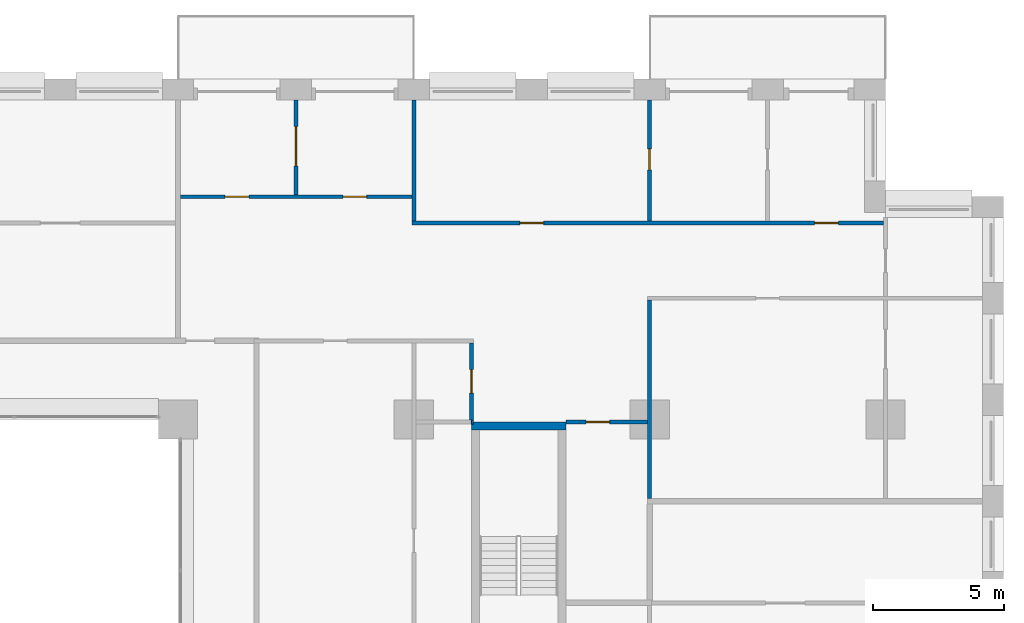
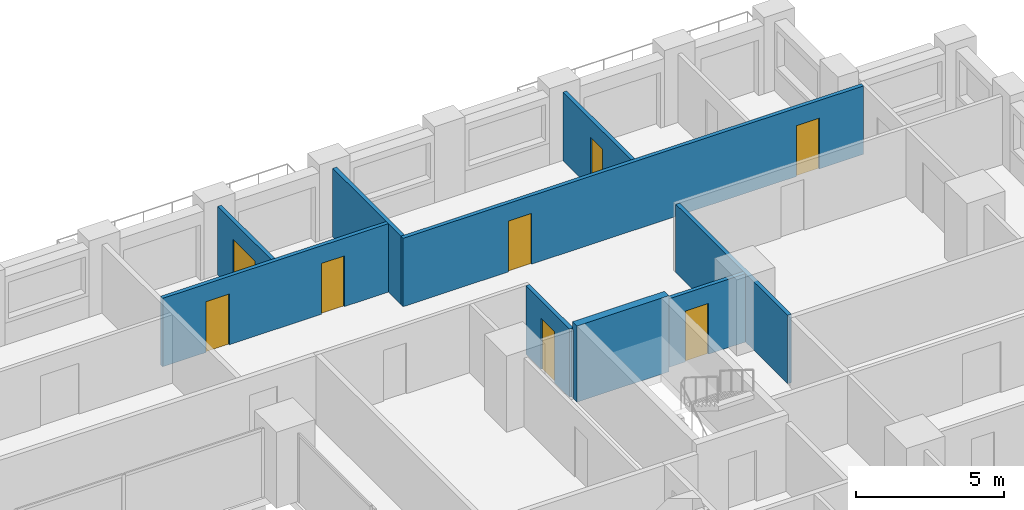
# One storey, part 15 of 20: 10 walls, 8 doors, 8 openings.
"""IFC4 building model written with IfcOpenShell, lengths in metres."""

from ifc_helpers import new_model, si_unit, direction, frame, frame_2d, origin, place, context, subcontext, project, spatial, rectangle, extrude, material, layer, layer_set, type_object, element, fill, save


model = new_model("IFC4")

# Units and contexts
model_context = context("Model", 3, precision=1e-05, world=origin(), true_north=direction((0.0, 1.0)))
body_context = subcontext(model_context, "Body", "Model", "MODEL_VIEW")
ifc_project = project(units=[si_unit("LENGTHUNIT", "METRE"), si_unit("AREAUNIT", "SQUARE_METRE"), si_unit("VOLUMEUNIT", "CUBIC_METRE"), si_unit("PLANEANGLEUNIT", "RADIAN"), si_unit("MASSUNIT", "GRAM", prefix="KILO")], contexts=[model_context])

# Site, building, storey
site_placement = place(None, origin())
site = spatial("IfcSite", under=ifc_project, at=site_placement, CompositionType="ELEMENT")
building_placement = place(site_placement, origin())
building = spatial("IfcBuilding", under=site, at=building_placement, Name="Brigalow Station Residences", CompositionType="ELEMENT")
storey_placement = place(building_placement, frame((0.0, 0.0, 66.75)))
storey = spatial("IfcBuildingStorey", under=building, at=storey_placement, Name="L19", CompositionType="ELEMENT", Elevation=66.75)

# Wall
ifc_material_1 = material(Name="Concrete C80", Category="concrete")
ifc_layer_1 = layer(ifc_material_1, 0.300048828125)
ifc_layer_set_1 = layer_set([ifc_layer_1], Name="CORE SHEAR WALL 300 C80")
wall_type_1 = type_object("IfcWallType", Name="CORE SHEAR WALL 300 C80", PredefinedType="SHEAR", material=ifc_layer_set_1)
wall_1_placement = place(storey_placement, frame((56.199951171875, 35.25, 0.0), z_axis=(0.0, 0.0, 1.0), x_axis=(1.0, 0.0, 0.0)))
element("IfcWall", 1, at=wall_1_placement, inside=storey, type_object=wall_type_1, Name="CORE WALL ST-S3-N L19", PredefinedType="SHEAR", context=body_context, shape_type="SweptSolid", body=[
    extrude(rectangle(XDim=3.60009765625, YDim=0.300048828125, at=frame_2d((1.800048828125, 0.0))), origin(), (0.0, 0.0, 1.0), 3.14990234375),
])

# Wall, openings, doors
ifc_material_2 = material(Name="Plasterboard on steel stud partition", Category="steel")
ifc_layer_2 = layer(ifc_material_2, 0.14990234375)
ifc_layer_set_2 = layer_set([ifc_layer_2], Name="FLAT PARTITION 150")
wall_type_2 = type_object("IfcWallType", Name="FLAT PARTITION 150", PredefinedType="PARTITIONING", material=ifc_layer_set_2)
wall_2_placement = place(storey_placement, frame((53.925048828125, 43.0, 0.0), z_axis=(0.0, 0.0, 1.0), x_axis=(1.0, 0.0, 0.0)))
wall_2 = element("IfcWall", 2, at=wall_2_placement, inside=storey, type_object=wall_type_2, Name="PW-1G28", PredefinedType="PARTITIONING", context=body_context, shape_type="SweptSolid", body=[
    extrude(rectangle(XDim=18.0, YDim=0.14990234375, at=frame_2d((9.0, 0.0))), origin(), (0.0, 0.0, 1.0), 2.830078125),
])
opening_1_placement = place(wall_2_placement, frame((15.375, 0.0, 0.0)))
opening_1 = element("IfcOpeningElement", 3, at=opening_1_placement, cuts=wall_2, Name="Opening D-1G38", PredefinedType="OPENING", context=body_context, shape_type="SweptSolid", body=[
    extrude(rectangle(XDim=0.89990234375, YDim=2.10009765625, at=frame_2d((0.449951171875, 1.050048828125))), frame((0.0, 0.0849609375, 0.0), z_axis=(0.0, -1.0, 0.0), x_axis=(1.0, 0.0, 0.0)), (0.0, 0.0, 1.0), 0.169921875),
])
opening_2_placement = place(wall_2_placement, frame((4.125, 0.0, 0.0)))
opening_2 = element("IfcOpeningElement", 4, at=opening_2_placement, cuts=wall_2, Name="Opening D-1G44", PredefinedType="OPENING", context=body_context, shape_type="SweptSolid", body=[
    extrude(rectangle(XDim=0.89990234375, YDim=2.10009765625, at=frame_2d((0.449951171875, 1.050048828125))), frame((0.0, 0.0849609375, 0.0), z_axis=(0.0, -1.0, 0.0), x_axis=(1.0, 0.0, 0.0)), (0.0, 0.0, 1.0), 0.169921875),
])
ifc_material_3 = material(Name="Solid-core timber door leaf", Category="wood")
door_type_1 = type_object("IfcDoorType", Name="INTERNAL DOOR 900 x 2100", OperationType="SINGLE_SWING_LEFT", PredefinedType="DOOR", material=ifc_material_3)
door_1_placement = place(opening_1_placement, origin())
door_1 = element("IfcDoor", 5, at=door_1_placement, inside=storey, type_object=door_type_1, Name="D-1G38", OperationType="SINGLE_SWING_RIGHT", OverallHeight=2.10009765625, OverallWidth=0.89990234375, PredefinedType="DOOR", context=body_context, shape_type="SweptSolid", body=[
    extrude(rectangle(XDim=0.89990234375, YDim=2.10009765625, at=frame_2d((0.449951171875, 1.050048828125))), frame((0.0, 0.02490234375, 0.0), z_axis=(0.0, -1.0, 0.0), x_axis=(1.0, 0.0, 0.0)), (0.0, 0.0, 1.0), 0.050048828125),
])
fill(opening_1, door_1)
door_2_placement = place(opening_2_placement, origin())
door_2 = element("IfcDoor", 6, at=door_2_placement, inside=storey, type_object=door_type_1, Name="D-1G44", OperationType="SINGLE_SWING_RIGHT", OverallHeight=2.10009765625, OverallWidth=0.89990234375, PredefinedType="DOOR", context=body_context, shape_type="SweptSolid", body=[
    extrude(rectangle(XDim=0.89990234375, YDim=2.10009765625, at=frame_2d((0.449951171875, 1.050048828125))), frame((0.0, 0.02490234375, 0.0), z_axis=(0.0, -1.0, 0.0), x_axis=(1.0, 0.0, 0.0)), (0.0, 0.0, 1.0), 0.050048828125),
])
fill(opening_2, door_2)

# Wall
wall_3_placement = place(storey_placement, frame((56.199951171875, 35.39990234375, 0.0), z_axis=(0.0, 0.0, 1.0), x_axis=(1.0, 0.0, 0.0)))
element("IfcWall", 7, at=wall_3_placement, inside=storey, type_object=wall_type_2, Name="PW-1G32", PredefinedType="PARTITIONING", context=body_context, shape_type="SweptSolid", body=[
    extrude(rectangle(XDim=0.074951171875, YDim=0.14990234375, at=frame_2d((0.03759765625, 0.0))), origin(), (0.0, 0.0, 1.0), 2.830078125),
])

# Wall, opening, door
wall_4_placement = place(storey_placement, frame((59.800048828125, 35.39990234375, 0.0), z_axis=(0.0, 0.0, 1.0), x_axis=(1.0, 0.0, 0.0)))
wall_4 = element("IfcWall", 8, at=wall_4_placement, inside=storey, type_object=wall_type_2, Name="PW-1G33", PredefinedType="PARTITIONING", context=body_context, shape_type="SweptSolid", body=[
    extrude(rectangle(XDim=3.125, YDim=0.14990234375, at=frame_2d((1.5625, 0.0))), origin(), (0.0, 0.0, 1.0), 2.830078125),
])
opening_3_placement = place(wall_4_placement, frame((0.77490234375, 0.0, 0.0)))
opening_3 = element("IfcOpeningElement", 9, at=opening_3_placement, cuts=wall_4, Name="Opening D-1G48", PredefinedType="OPENING", context=body_context, shape_type="SweptSolid", body=[
    extrude(rectangle(XDim=0.89990234375, YDim=2.10009765625, at=frame_2d((0.449951171875, 1.050048828125))), frame((0.0, 0.0849609375, 0.0), z_axis=(0.0, -1.0, 0.0), x_axis=(1.0, 0.0, 0.0)), (0.0, 0.0, 1.0), 0.169921875),
])
door_3_placement = place(opening_3_placement, frame((0.89990234375, 0.0, 0.0), z_axis=(0.0, 0.0, 1.0), x_axis=(-1.0, 0.0, 0.0)))
door_3 = element("IfcDoor", 10, at=door_3_placement, inside=storey, type_object=door_type_1, Name="D-1G48", OperationType="SINGLE_SWING_RIGHT", OverallHeight=2.10009765625, OverallWidth=0.89990234375, PredefinedType="DOOR", context=body_context, shape_type="SweptSolid", body=[
    extrude(rectangle(XDim=0.89990234375, YDim=2.10009765625, at=frame_2d((0.449951171875, 1.050048828125))), frame((0.0, 0.02490234375, 0.0), z_axis=(0.0, -1.0, 0.0), x_axis=(1.0, 0.0, 0.0)), (0.0, 0.0, 1.0), 0.050048828125),
])
fill(opening_3, door_3)

# Wall, openings, doors
wall_5_placement = place(storey_placement, frame((45.10009765625, 44.0, 0.0), z_axis=(0.0, 0.0, 1.0), x_axis=(1.0, 0.0, 0.0)))
wall_5 = element("IfcWall", 11, at=wall_5_placement, inside=storey, type_object=wall_type_2, Name="PW-1G37", PredefinedType="PARTITIONING", context=body_context, shape_type="SweptSolid", body=[
    extrude(rectangle(XDim=8.824951171875, YDim=0.14990234375, at=frame_2d((4.41259765625, 0.0))), origin(), (0.0, 0.0, 1.0), 2.830078125),
])
opening_4_placement = place(wall_5_placement, frame((6.199951171875, 0.0, 0.0)))
opening_4 = element("IfcOpeningElement", 12, at=opening_4_placement, cuts=wall_5, Name="Opening D-1G39", PredefinedType="OPENING", context=body_context, shape_type="SweptSolid", body=[
    extrude(rectangle(XDim=0.89990234375, YDim=2.10009765625, at=frame_2d((0.449951171875, 1.050048828125))), frame((0.0, 0.0849609375, 0.0), z_axis=(0.0, -1.0, 0.0), x_axis=(1.0, 0.0, 0.0)), (0.0, 0.0, 1.0), 0.169921875),
])
opening_5_placement = place(wall_5_placement, frame((1.699951171875, 0.0, 0.0)))
opening_5 = element("IfcOpeningElement", 13, at=opening_5_placement, cuts=wall_5, Name="Opening D-1G43", PredefinedType="OPENING", context=body_context, shape_type="SweptSolid", body=[
    extrude(rectangle(XDim=0.89990234375, YDim=2.10009765625, at=frame_2d((0.449951171875, 1.050048828125))), frame((0.0, 0.0849609375, 0.0), z_axis=(0.0, -1.0, 0.0), x_axis=(1.0, 0.0, 0.0)), (0.0, 0.0, 1.0), 0.169921875),
])
door_4_placement = place(opening_4_placement, origin())
door_4 = element("IfcDoor", 14, at=door_4_placement, inside=storey, type_object=door_type_1, Name="D-1G39", OperationType="SINGLE_SWING_RIGHT", OverallHeight=2.10009765625, OverallWidth=0.89990234375, PredefinedType="DOOR", context=body_context, shape_type="SweptSolid", body=[
    extrude(rectangle(XDim=0.89990234375, YDim=2.10009765625, at=frame_2d((0.449951171875, 1.050048828125))), frame((0.0, 0.02490234375, 0.0), z_axis=(0.0, -1.0, 0.0), x_axis=(1.0, 0.0, 0.0)), (0.0, 0.0, 1.0), 0.050048828125),
])
fill(opening_4, door_4)
door_5_placement = place(opening_5_placement, origin())
door_5 = element("IfcDoor", 15, at=door_5_placement, inside=storey, type_object=door_type_1, Name="D-1G43", OperationType="SINGLE_SWING_LEFT", OverallHeight=2.10009765625, OverallWidth=0.89990234375, PredefinedType="DOOR", context=body_context, shape_type="SweptSolid", body=[
    extrude(rectangle(XDim=0.89990234375, YDim=2.10009765625, at=frame_2d((0.449951171875, 1.050048828125))), frame((0.0, 0.02490234375, 0.0), z_axis=(0.0, -1.0, 0.0), x_axis=(1.0, 0.0, 0.0)), (0.0, 0.0, 1.0), 0.050048828125),
])
fill(opening_5, door_5)

# Walls
wall_6_placement = place(storey_placement, frame((54.0, 43.074951171875, 0.0), z_axis=(0.0, 0.0, 1.0), x_axis=(0.0, 1.0, 0.0)))
element("IfcWall", 16, at=wall_6_placement, inside=storey, type_object=wall_type_2, Name="PW-1G43", PredefinedType="PARTITIONING", context=body_context, shape_type="SweptSolid", body=[
    extrude(rectangle(XDim=4.625, YDim=0.14990234375, at=frame_2d((2.3125, 0.0))), origin(), (0.0, 0.0, 1.0), 2.830078125),
])
wall_7_placement = place(storey_placement, frame((63.0, 32.47509765625, 0.0), z_axis=(0.0, 0.0, 1.0), x_axis=(0.0, 1.0, 0.0)))
element("IfcWall", 17, at=wall_7_placement, inside=storey, type_object=wall_type_2, Name="PW-1G68", PredefinedType="PARTITIONING", context=body_context, shape_type="SweptSolid", body=[
    extrude(rectangle(XDim=7.574951171875, YDim=0.14990234375, at=frame_2d((3.78759765625, 0.0))), origin(), (0.0, 0.0, 1.0), 2.830078125),
])

# Wall, opening, door
wall_8_placement = place(storey_placement, frame((63.0, 43.074951171875, 0.0), z_axis=(0.0, 0.0, 1.0), x_axis=(0.0, 1.0, 0.0)))
wall_8 = element("IfcWall", 18, at=wall_8_placement, inside=storey, type_object=wall_type_2, Name="PW-1G69", PredefinedType="PARTITIONING", context=body_context, shape_type="SweptSolid", body=[
    extrude(rectangle(XDim=4.625, YDim=0.14990234375, at=frame_2d((2.3125, 0.0))), origin(), (0.0, 0.0, 1.0), 2.830078125),
])
opening_6_placement = place(wall_8_placement, frame((1.949951171875, 0.0, 0.0)))
opening_6 = element("IfcOpeningElement", 19, at=opening_6_placement, cuts=wall_8, Name="Opening D-1G41", PredefinedType="OPENING", context=body_context, shape_type="SweptSolid", body=[
    extrude(rectangle(XDim=0.800048828125, YDim=2.10009765625, at=frame_2d((0.39990234375, 1.050048828125))), frame((0.0, 0.0849609375, 0.0), z_axis=(0.0, -1.0, 0.0), x_axis=(1.0, 0.0, 0.0)), (0.0, 0.0, 1.0), 0.169921875),
])
ifc_material_4 = material(Name="Solid-core timber door leaf", Category="wood")
door_type_2 = type_object("IfcDoorType", Name="INTERNAL DOOR 800 x 2100", OperationType="SINGLE_SWING_LEFT", PredefinedType="DOOR", material=ifc_material_4)
door_6_placement = place(opening_6_placement, frame((0.800048828125, 0.0, 0.0), z_axis=(0.0, 0.0, 1.0), x_axis=(-1.0, 0.0, 0.0)))
door_6 = element("IfcDoor", 20, at=door_6_placement, inside=storey, type_object=door_type_2, Name="D-1G41", OperationType="SINGLE_SWING_LEFT", OverallHeight=2.10009765625, OverallWidth=0.800048828125, PredefinedType="DOOR", context=body_context, shape_type="SweptSolid", body=[
    extrude(rectangle(XDim=0.800048828125, YDim=2.10009765625, at=frame_2d((0.39990234375, 1.050048828125))), frame((0.0, 0.02490234375, 0.0), z_axis=(0.0, -1.0, 0.0), x_axis=(1.0, 0.0, 0.0)), (0.0, 0.0, 1.0), 0.050048828125),
])
fill(opening_6, door_6)

wall_9_placement = place(storey_placement, frame((56.199951171875, 35.47509765625, 0.0), z_axis=(0.0, 0.0, 1.0), x_axis=(0.0, 1.0, 0.0)))
wall_9 = element("IfcWall", 21, at=wall_9_placement, inside=storey, type_object=wall_type_2, Name="PW-1G71", PredefinedType="PARTITIONING", context=body_context, shape_type="SweptSolid", body=[
    extrude(rectangle(XDim=2.949951171875, YDim=0.14990234375, at=frame_2d((1.47509765625, 0.0))), origin(), (0.0, 0.0, 1.0), 2.830078125),
])
opening_7_placement = place(wall_9_placement, frame((1.02490234375, 0.0, 0.0)))
opening_7 = element("IfcOpeningElement", 22, at=opening_7_placement, cuts=wall_9, Name="Opening D-1G47", PredefinedType="OPENING", context=body_context, shape_type="SweptSolid", body=[
    extrude(rectangle(XDim=0.89990234375, YDim=2.10009765625, at=frame_2d((0.449951171875, 1.050048828125))), frame((0.0, 0.0849609375, 0.0), z_axis=(0.0, -1.0, 0.0), x_axis=(1.0, 0.0, 0.0)), (0.0, 0.0, 1.0), 0.169921875),
])
door_7_placement = place(opening_7_placement, origin())
door_7 = element("IfcDoor", 23, at=door_7_placement, inside=storey, type_object=door_type_1, Name="D-1G47", OperationType="SINGLE_SWING_LEFT", OverallHeight=2.10009765625, OverallWidth=0.89990234375, PredefinedType="DOOR", context=body_context, shape_type="SweptSolid", body=[
    extrude(rectangle(XDim=0.89990234375, YDim=2.10009765625, at=frame_2d((0.449951171875, 1.050048828125))), frame((0.0, 0.02490234375, 0.0), z_axis=(0.0, -1.0, 0.0), x_axis=(1.0, 0.0, 0.0)), (0.0, 0.0, 1.0), 0.050048828125),
])
fill(opening_7, door_7)

wall_10_placement = place(storey_placement, frame((49.5, 44.074951171875, 0.0), z_axis=(0.0, 0.0, 1.0), x_axis=(0.0, 1.0, 0.0)))
wall_10 = element("IfcWall", 24, at=wall_10_placement, inside=storey, type_object=wall_type_2, Name="PW-1G76", PredefinedType="PARTITIONING", context=body_context, shape_type="SweptSolid", body=[
    extrude(rectangle(XDim=3.625, YDim=0.14990234375, at=frame_2d((1.8125, 0.0))), origin(), (0.0, 0.0, 1.0), 2.830078125),
])
opening_8_placement = place(wall_10_placement, frame((1.10009765625, 0.0, 0.0)))
opening_8 = element("IfcOpeningElement", 25, at=opening_8_placement, cuts=wall_10, Name="Opening D-1G40", PredefinedType="OPENING", context=body_context, shape_type="SweptSolid", body=[
    extrude(rectangle(XDim=1.5, YDim=2.10009765625, at=frame_2d((0.75, 1.050048828125))), frame((0.0, 0.0849609375, 0.0), z_axis=(0.0, -1.0, 0.0), x_axis=(1.0, 0.0, 0.0)), (0.0, 0.0, 1.0), 0.169921875),
])
ifc_material_5 = material(Name="Solid-core timber door leaf", Category="wood")
door_type_3 = type_object("IfcDoorType", Name="INTERNAL DOUBLE DOOR 1500 x 2100", OperationType="DOUBLE_DOOR_SINGLE_SWING", PredefinedType="DOOR", material=ifc_material_5)
door_8_placement = place(opening_8_placement, frame((1.5, 0.0, 0.0), z_axis=(0.0, 0.0, 1.0), x_axis=(-1.0, 0.0, 0.0)))
door_8 = element("IfcDoor", 26, at=door_8_placement, inside=storey, type_object=door_type_3, Name="D-1G40", OperationType="DOUBLE_DOOR_SINGLE_SWING", OverallHeight=2.10009765625, OverallWidth=1.5, PredefinedType="DOOR", context=body_context, shape_type="SweptSolid", body=[
    extrude(rectangle(XDim=1.5, YDim=2.10009765625, at=frame_2d((0.75, 1.050048828125))), frame((0.0, 0.02490234375, 0.0), z_axis=(0.0, -1.0, 0.0), x_axis=(1.0, 0.0, 0.0)), (0.0, 0.0, 1.0), 0.050048828125),
])
fill(opening_8, door_8)

save(model, "model.ifc")
